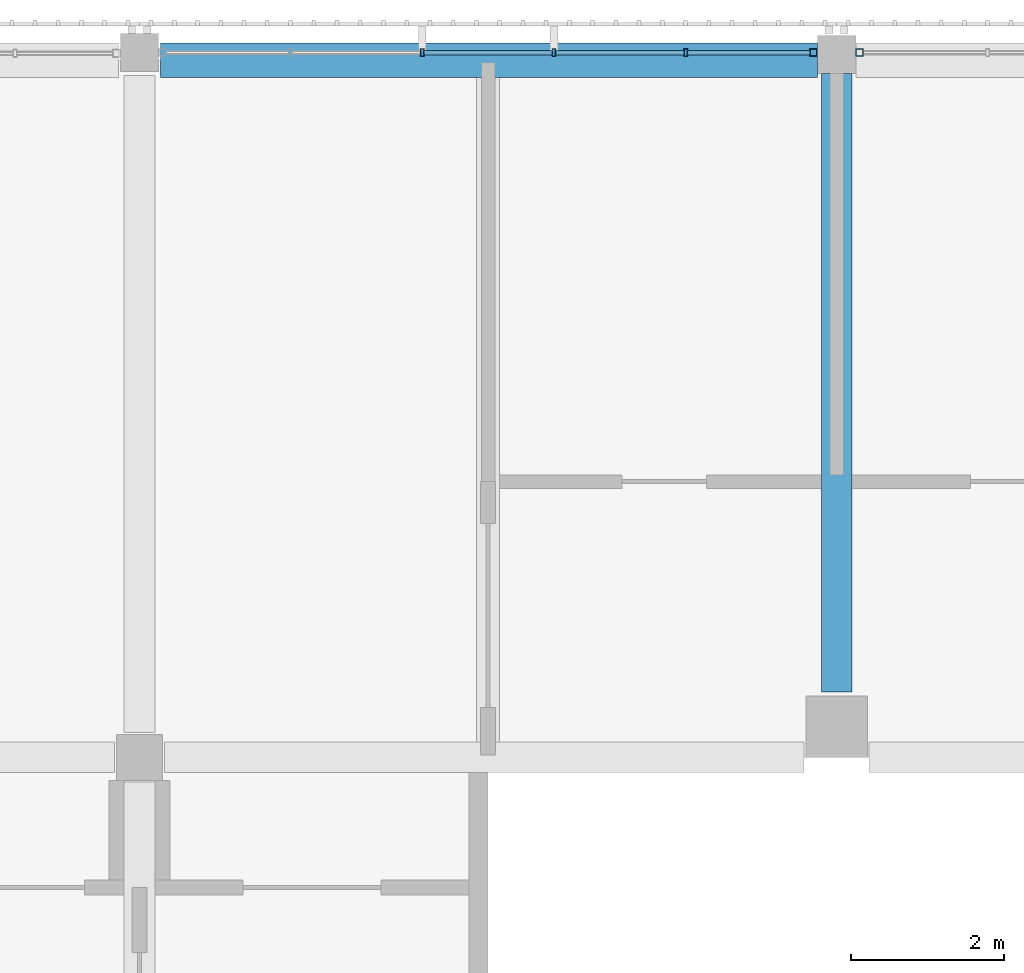
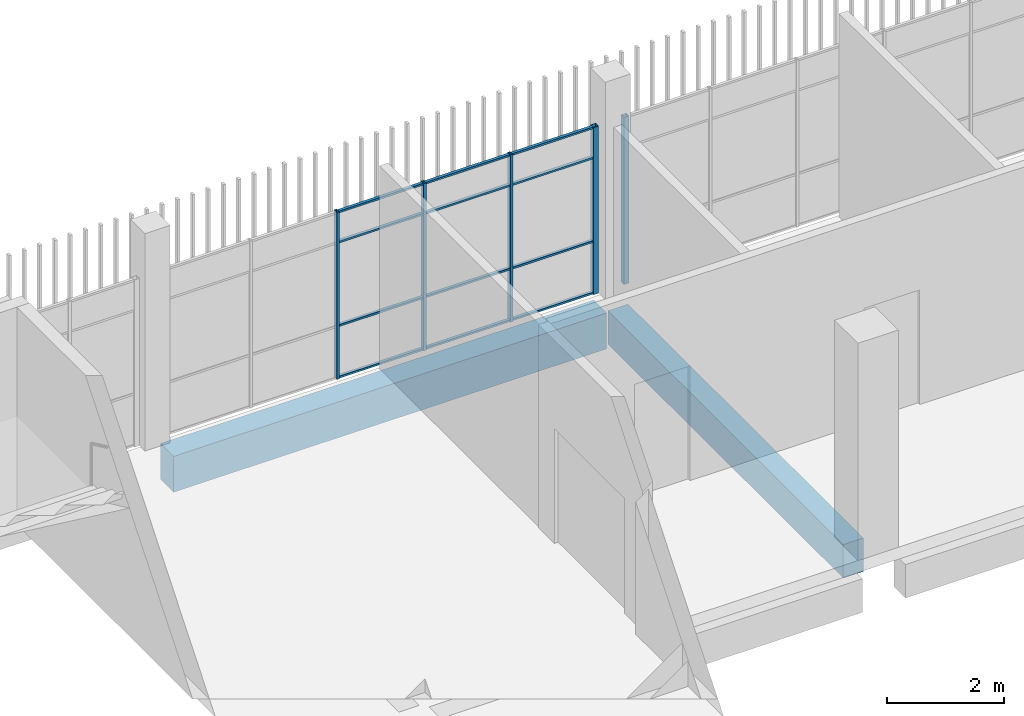
# One storey, part 33 of 124: 17 members, 2 beams, 2 elements without a shape of their own.
"""IFC4 building model written with IfcOpenShell, lengths in metres."""

from ifc_helpers import new_model, si_unit, direction, frame, origin, origin_2d, place, context, subcontext, project, spatial, rectangle, hollow_rectangle, extrude, material, layer, layer_set, material_profile, profile_set, type_object, element, aggregate, save


model = new_model("IFC4")

# Units and contexts
model_context = context("Model", 3, precision=1e-05, world=origin(), true_north=direction((0.0, 1.0)))
body_context = subcontext(model_context, "Body", "Model", "MODEL_VIEW")
ifc_project = project(units=[si_unit("LENGTHUNIT", "METRE"), si_unit("AREAUNIT", "SQUARE_METRE"), si_unit("VOLUMEUNIT", "CUBIC_METRE"), si_unit("PLANEANGLEUNIT", "RADIAN"), si_unit("MASSUNIT", "GRAM", prefix="KILO")], contexts=[model_context])

# Site, building, storey
site_placement = place(None, origin())
site = spatial("IfcSite", under=ifc_project, at=site_placement, CompositionType="ELEMENT")
building_placement = place(site_placement, origin())
building = spatial("IfcBuilding", under=site, at=building_placement, Name="Shirokan Park Arena", CompositionType="ELEMENT")
storey_placement = place(building_placement, frame((0.0, 0.0, 20.02001953125)))
storey = spatial("IfcBuildingStorey", under=building, at=storey_placement, Name="L04", CompositionType="ELEMENT", Elevation=20.02001953125)

# Curtain wall, member
ifc_material_1 = material(Name="Steel and glass curtain wall", Category="steel")
ifc_layer = layer(ifc_material_1, 0.10009765625)
ifc_layer_set = layer_set([ifc_layer], Name="Steel and glass curtain wall 100 mm")
curtain_wall_type = type_object("IfcCurtainWallType", Name="Curtain wall sheltered bay 100", PredefinedType="NOTDEFINED", material=ifc_layer_set)
curtain_wall_1_placement = place(storey_placement, origin())
curtain_wall_1 = element("IfcCurtainWall", 1, at=curtain_wall_1_placement, inside=storey, type_object=curtain_wall_type, Name="Curtain wall north bay 11 L04", PredefinedType="NOTDEFINED")
ifc_material_2 = material(Name="Steel S355", Category="steel")
ifc_material_profile_1 = material_profile(ifc_material_2, hollow_rectangle(XDim=0.10009765625, YDim=0.10009765625, WallThickness=0.006103515625, at=origin_2d()), Name="RHS 100x100x6")
ifc_profile_set_1 = profile_set([ifc_material_profile_1], Name="Steel S355")
member_type_1 = type_object("IfcMemberType", Name="Mullion RHS 100x100x6", PredefinedType="MULLION", material=ifc_profile_set_1)
member_1_placement = place(storey_placement, frame((45.800048828125, 109.300048828125, 0.0), z_axis=(0.0, 0.0, 1.0), x_axis=(0.0, -1.0, 0.0)))
member_1 = element("IfcMember", 2, at=member_1_placement, type_object=member_type_1, Name="CW2 mullion 6", PredefinedType="MULLION", context=body_context, shape_type="SweptSolid", body=[
    extrude(hollow_rectangle(XDim=0.10009765625, YDim=0.10009765625, WallThickness=0.006103515625, at=origin_2d()), origin(), (0.0, 0.0, 1.0), 3.5),
])
aggregate(curtain_wall_1, [member_1])

# Curtain wall, members
curtain_wall_2_placement = place(storey_placement, origin())
curtain_wall_2 = element("IfcCurtainWall", 3, at=curtain_wall_2_placement, inside=storey, type_object=curtain_wall_type, Name="Curtain wall north bay 12 L04", PredefinedType="NOTDEFINED")
member_2_placement = place(storey_placement, frame((45.199951171875, 109.300048828125, 0.0), z_axis=(0.0, 0.0, 1.0), x_axis=(0.0, -1.0, 0.0)))
member_2 = element("IfcMember", 4, at=member_2_placement, type_object=member_type_1, Name="CW2 mullion 1", PredefinedType="MULLION", context=body_context, shape_type="SweptSolid", body=[
    extrude(hollow_rectangle(XDim=0.10009765625, YDim=0.10009765625, WallThickness=0.006103515625, at=origin_2d()), origin(), (0.0, 0.0, 1.0), 3.5),
])
ifc_material_profile_2 = material_profile(ifc_material_2, hollow_rectangle(XDim=0.10009765625, YDim=0.050048828125, WallThickness=0.0048828125, at=origin_2d()), Name="RHS 100x50x5")
ifc_profile_set_2 = profile_set([ifc_material_profile_2], Name="Steel S355")
member_type_2 = type_object("IfcMemberType", Name="Mullion RHS 100x50x5", PredefinedType="MULLION", material=ifc_profile_set_2)
member_3_placement = place(storey_placement, frame((43.530029296875, 109.300048828125, 0.0), z_axis=(0.0, 0.0, 1.0), x_axis=(0.0, -1.0, 0.0)))
member_3 = element("IfcMember", 5, at=member_3_placement, type_object=member_type_2, Name="CW2 mullion 2", PredefinedType="MULLION", context=body_context, shape_type="SweptSolid", body=[
    extrude(hollow_rectangle(XDim=0.10009765625, YDim=0.050048828125, WallThickness=0.0048828125, at=origin_2d()), origin(), (0.0, 0.0, 1.0), 3.5),
])
member_4_placement = place(storey_placement, frame((41.81005859375, 109.300048828125, 0.0), z_axis=(0.0, 0.0, 1.0), x_axis=(0.0, -1.0, 0.0)))
member_4 = element("IfcMember", 6, at=member_4_placement, type_object=member_type_2, Name="CW2 mullion 3", PredefinedType="MULLION", context=body_context, shape_type="SweptSolid", body=[
    extrude(hollow_rectangle(XDim=0.10009765625, YDim=0.050048828125, WallThickness=0.0048828125, at=origin_2d()), origin(), (0.0, 0.0, 1.0), 3.5),
])
member_5_placement = place(storey_placement, frame((40.090087890625, 109.300048828125, 0.0), z_axis=(0.0, 0.0, 1.0), x_axis=(0.0, -1.0, 0.0)))
member_5 = element("IfcMember", 7, at=member_5_placement, type_object=member_type_2, Name="CW2 mullion 4", PredefinedType="MULLION", context=body_context, shape_type="SweptSolid", body=[
    extrude(hollow_rectangle(XDim=0.10009765625, YDim=0.050048828125, WallThickness=0.0048828125, at=origin_2d()), origin(), (0.0, 0.0, 1.0), 3.5),
])

# Beams
ifc_material_3 = material(Name="Concrete C35", Category="concrete")
ifc_material_profile_3 = material_profile(ifc_material_3, rectangle(XDim=0.39990234375, YDim=0.699951171875, at=origin_2d()), Name="400x700")
ifc_profile_set_3 = profile_set([ifc_material_profile_3], Name="Concrete C35")
beam_type_1 = type_object("IfcBeamType", Name="RC girder 400x700", PredefinedType="BEAM", material=ifc_profile_set_3)
beam_1_placement = place(storey_placement, frame((45.5, 100.9501953125, -0.60009765625), z_axis=(0.0, 1.0, 0.0), x_axis=(-1.0, 0.0, 0.0)))
element("IfcBeam", 8, at=beam_1_placement, inside=storey, type_object=beam_type_1, Name="Girder 6M-6N L04", PredefinedType="BEAM", context=body_context, shape_type="SweptSolid", body=[
    extrude(rectangle(XDim=0.39990234375, YDim=0.699951171875, at=origin_2d()), origin(), (0.0, 0.0, 1.0), 8.07470703125),
])
ifc_material_profile_4 = material_profile(ifc_material_3, rectangle(XDim=0.449951171875, YDim=0.75, at=origin_2d()), Name="450x750")
ifc_profile_set_4 = profile_set([ifc_material_profile_4], Name="Concrete C35")
beam_type_2 = type_object("IfcBeamType", Name="RC girder 450x750", PredefinedType="BEAM", material=ifc_profile_set_4)
beam_2_placement = place(storey_placement, frame((36.675048828125, 109.199951171875, -0.625), z_axis=(1.0, 0.0, 0.0), x_axis=(0.0, 1.0, 0.0)))
element("IfcBeam", 9, at=beam_2_placement, inside=storey, type_object=beam_type_2, Name="Girder 5N-6N L04", PredefinedType="BEAM", context=body_context, shape_type="SweptSolid", body=[
    extrude(rectangle(XDim=0.449951171875, YDim=0.75, at=origin_2d()), origin(), (0.0, 0.0, 1.0), 8.574951171875),
])

# Member
ifc_material_profile_5 = material_profile(ifc_material_2, hollow_rectangle(XDim=0.06005859375, YDim=0.0400390625, WallThickness=0.00390625, at=origin_2d()), Name="RHS 60x40x4")
ifc_profile_set_5 = profile_set([ifc_material_profile_5], Name="Steel S355")
member_type_3 = type_object("IfcMemberType", Name="Transom RHS 60x40x4", PredefinedType="MULLION", material=ifc_profile_set_5)
member_6_placement = place(storey_placement, frame((45.14990234375, 109.300048828125, 0.02001953125), z_axis=(-1.0, 0.0, 0.0), x_axis=(0.0, -1.0, 0.0)))
member_6 = element("IfcMember", 10, at=member_6_placement, type_object=member_type_3, Name="CW2 transom 1.1", PredefinedType="MULLION", context=body_context, shape_type="SweptSolid", body=[
    extrude(hollow_rectangle(XDim=0.06005859375, YDim=0.0400390625, WallThickness=0.00390625, at=origin_2d()), origin(), (0.0, 0.0, 1.0), 1.594970703125),
])

member_7_placement = place(storey_placement, frame((45.14990234375, 109.300048828125, 1.10009765625), z_axis=(-1.0, 0.0, 0.0), x_axis=(0.0, -1.0, 0.0)))
member_7 = element("IfcMember", 11, at=member_7_placement, type_object=member_type_3, Name="CW2 transom 1.2", PredefinedType="MULLION", context=body_context, shape_type="SweptSolid", body=[
    extrude(hollow_rectangle(XDim=0.06005859375, YDim=0.0400390625, WallThickness=0.00390625, at=origin_2d()), origin(), (0.0, 0.0, 1.0), 1.594970703125),
])

member_8_placement = place(storey_placement, frame((45.14990234375, 109.300048828125, 2.85009765625), z_axis=(-1.0, 0.0, 0.0), x_axis=(0.0, -1.0, 0.0)))
member_8 = element("IfcMember", 12, at=member_8_placement, type_object=member_type_3, Name="CW2 transom 1.3", PredefinedType="MULLION", context=body_context, shape_type="SweptSolid", body=[
    extrude(hollow_rectangle(XDim=0.06005859375, YDim=0.0400390625, WallThickness=0.00390625, at=origin_2d()), origin(), (0.0, 0.0, 1.0), 1.594970703125),
])

member_9_placement = place(storey_placement, frame((45.14990234375, 109.300048828125, 3.47998046875), z_axis=(-1.0, 0.0, 0.0), x_axis=(0.0, -1.0, 0.0)))
member_9 = element("IfcMember", 13, at=member_9_placement, type_object=member_type_3, Name="CW2 transom 1.4", PredefinedType="MULLION", context=body_context, shape_type="SweptSolid", body=[
    extrude(hollow_rectangle(XDim=0.06005859375, YDim=0.0400390625, WallThickness=0.00390625, at=origin_2d()), origin(), (0.0, 0.0, 1.0), 1.594970703125),
])

member_10_placement = place(storey_placement, frame((43.5048828125, 109.300048828125, 0.02001953125), z_axis=(-1.0, 0.0, 0.0), x_axis=(0.0, -1.0, 0.0)))
member_10 = element("IfcMember", 14, at=member_10_placement, type_object=member_type_3, Name="CW2 transom 2.1", PredefinedType="MULLION", context=body_context, shape_type="SweptSolid", body=[
    extrude(hollow_rectangle(XDim=0.06005859375, YDim=0.0400390625, WallThickness=0.00390625, at=origin_2d()), origin(), (0.0, 0.0, 1.0), 1.669921875),
])

member_11_placement = place(storey_placement, frame((43.5048828125, 109.300048828125, 1.10009765625), z_axis=(-1.0, 0.0, 0.0), x_axis=(0.0, -1.0, 0.0)))
member_11 = element("IfcMember", 15, at=member_11_placement, type_object=member_type_3, Name="CW2 transom 2.2", PredefinedType="MULLION", context=body_context, shape_type="SweptSolid", body=[
    extrude(hollow_rectangle(XDim=0.06005859375, YDim=0.0400390625, WallThickness=0.00390625, at=origin_2d()), origin(), (0.0, 0.0, 1.0), 1.669921875),
])

member_12_placement = place(storey_placement, frame((43.5048828125, 109.300048828125, 2.85009765625), z_axis=(-1.0, 0.0, 0.0), x_axis=(0.0, -1.0, 0.0)))
member_12 = element("IfcMember", 16, at=member_12_placement, type_object=member_type_3, Name="CW2 transom 2.3", PredefinedType="MULLION", context=body_context, shape_type="SweptSolid", body=[
    extrude(hollow_rectangle(XDim=0.06005859375, YDim=0.0400390625, WallThickness=0.00390625, at=origin_2d()), origin(), (0.0, 0.0, 1.0), 1.669921875),
])

member_13_placement = place(storey_placement, frame((43.5048828125, 109.300048828125, 3.47998046875), z_axis=(-1.0, 0.0, 0.0), x_axis=(0.0, -1.0, 0.0)))
member_13 = element("IfcMember", 17, at=member_13_placement, type_object=member_type_3, Name="CW2 transom 2.4", PredefinedType="MULLION", context=body_context, shape_type="SweptSolid", body=[
    extrude(hollow_rectangle(XDim=0.06005859375, YDim=0.0400390625, WallThickness=0.00390625, at=origin_2d()), origin(), (0.0, 0.0, 1.0), 1.669921875),
])

member_14_placement = place(storey_placement, frame((41.784912109375, 109.300048828125, 0.02001953125), z_axis=(-1.0, 0.0, 0.0), x_axis=(0.0, -1.0, 0.0)))
member_14 = element("IfcMember", 18, at=member_14_placement, type_object=member_type_3, Name="CW2 transom 3.1", PredefinedType="MULLION", context=body_context, shape_type="SweptSolid", body=[
    extrude(hollow_rectangle(XDim=0.06005859375, YDim=0.0400390625, WallThickness=0.00390625, at=origin_2d()), origin(), (0.0, 0.0, 1.0), 1.669921875),
])

member_15_placement = place(storey_placement, frame((41.784912109375, 109.300048828125, 1.10009765625), z_axis=(-1.0, 0.0, 0.0), x_axis=(0.0, -1.0, 0.0)))
member_15 = element("IfcMember", 19, at=member_15_placement, type_object=member_type_3, Name="CW2 transom 3.2", PredefinedType="MULLION", context=body_context, shape_type="SweptSolid", body=[
    extrude(hollow_rectangle(XDim=0.06005859375, YDim=0.0400390625, WallThickness=0.00390625, at=origin_2d()), origin(), (0.0, 0.0, 1.0), 1.669921875),
])

member_16_placement = place(storey_placement, frame((41.784912109375, 109.300048828125, 2.85009765625), z_axis=(-1.0, 0.0, 0.0), x_axis=(0.0, -1.0, 0.0)))
member_16 = element("IfcMember", 20, at=member_16_placement, type_object=member_type_3, Name="CW2 transom 3.3", PredefinedType="MULLION", context=body_context, shape_type="SweptSolid", body=[
    extrude(hollow_rectangle(XDim=0.06005859375, YDim=0.0400390625, WallThickness=0.00390625, at=origin_2d()), origin(), (0.0, 0.0, 1.0), 1.669921875),
])

member_17_placement = place(storey_placement, frame((41.784912109375, 109.300048828125, 3.47998046875), z_axis=(-1.0, 0.0, 0.0), x_axis=(0.0, -1.0, 0.0)))
member_17 = element("IfcMember", 21, at=member_17_placement, type_object=member_type_3, Name="CW2 transom 3.4", PredefinedType="MULLION", context=body_context, shape_type="SweptSolid", body=[
    extrude(hollow_rectangle(XDim=0.06005859375, YDim=0.0400390625, WallThickness=0.00390625, at=origin_2d()), origin(), (0.0, 0.0, 1.0), 1.669921875),
])

aggregate(curtain_wall_2, [member_2, member_3, member_4, member_5, member_6, member_7, member_8, member_9, member_10, member_11, member_12, member_13, member_14, member_15, member_16, member_17])

save(model, "model.ifc")
